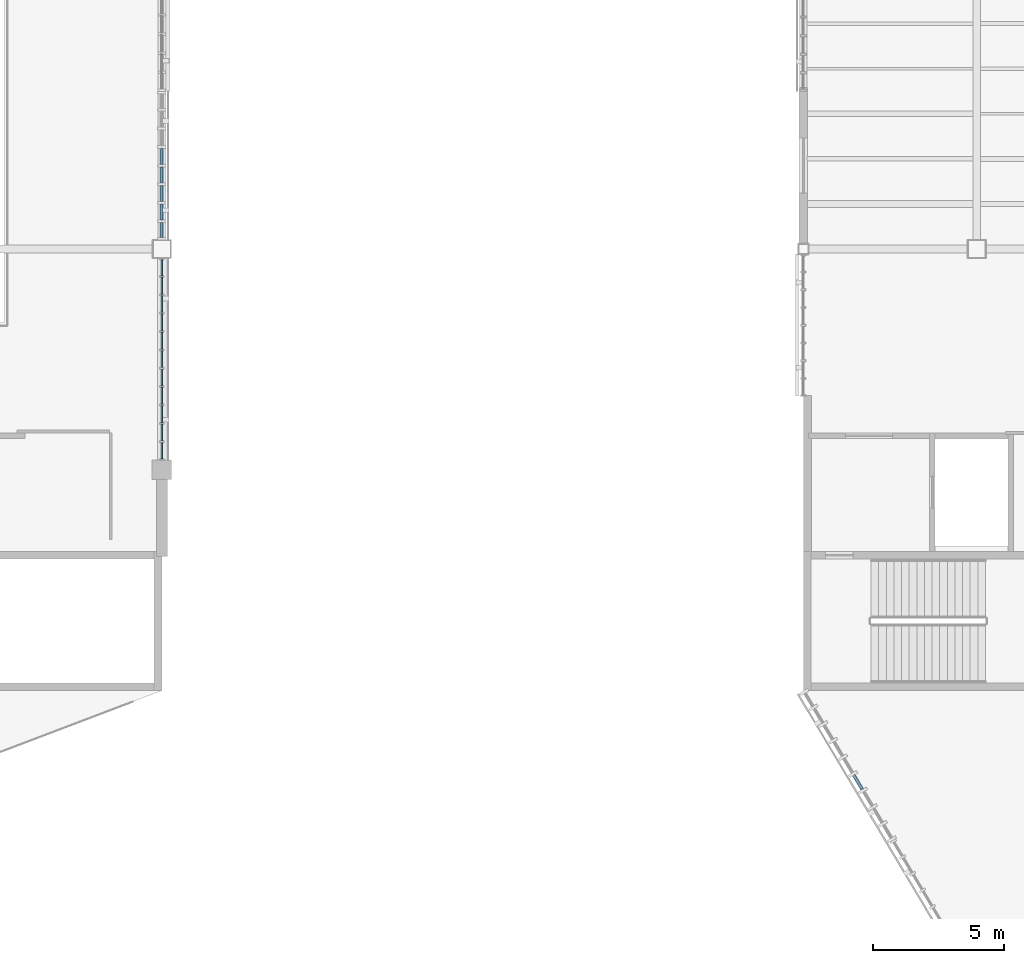
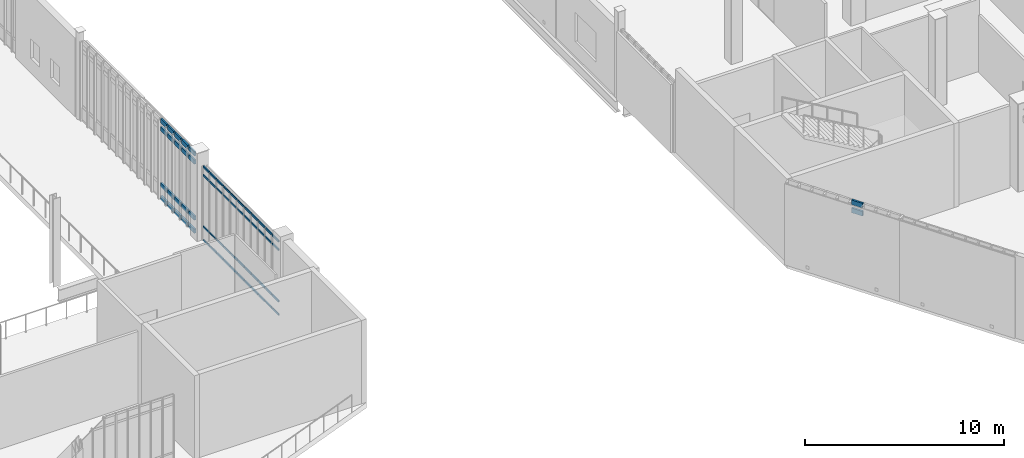
# One storey, part 50 of 135: 66 members, 3 elements without a shape of their own.
"""IFC4 building model written with IfcOpenShell, lengths in metres."""

import ifcopenshell
import ifcopenshell.guid

model = None  # the IFC model being written
_history = None  # IfcOwnerHistory: only IFC2X3 demands one
_inside = {}  # id of a spatial element -> (the spatial element, [elements in it])
_under = {}  # id of a project, library or spatial element -> (it, [spatial elements below it])
_declared = {}  # id of a project -> (the project, [libraries it declares])
_typed = {}  # id of a type object -> (the type object, [elements of that type])
_made_of = {}  # id of a material, layer set ... -> (it, [elements and type objects made of it])


def new_model(schema):
    """Start an empty IFC model of exactly this schema.

    Asked for "IFC4X3", IfcOpenShell would pick the latest addendum, in which some entities
    have other attributes; the version numbers below select the first issue.
    IFC2X3 requires an IfcOwnerHistory on every rooted entity: one is made here for all.
    """
    global model, _history
    if schema == "IFC4X3":
        model = ifcopenshell.file(schema_version=(4, 3, 0, 0))
    else:
        model = ifcopenshell.file(schema=schema)
    _inside.clear()
    _under.clear()
    _declared.clear()
    _typed.clear()
    _made_of.clear()
    _history = None
    if model.schema == "IFC2X3":
        org = make("IfcOrganization", Name="unknown")
        user = make(
            "IfcPersonAndOrganization",
            ThePerson=make("IfcPerson", FamilyName="unknown"),
            TheOrganization=org,
        )
        app = make(
            "IfcApplication",
            ApplicationDeveloper=org,
            Version="unknown",
            ApplicationFullName="unknown",
            ApplicationIdentifier="unknown",
        )
        _history = make(
            "IfcOwnerHistory",
            OwningUser=user,
            OwningApplication=app,
            ChangeAction="ADDED",
            CreationDate=0,
        )
    return model


def make(cls, **values):
    """One entity of the class cls with the attributes given. An attribute that is None is left unset."""
    return model.create_entity(
        cls, **{name: value for name, value in values.items() if value is not None}
    )


def rooted(cls, **values):
    """An entity with a GlobalId (a new one), such as an element, a storey or a relation."""
    return make(cls, GlobalId=ifcopenshell.guid.new(), OwnerHistory=_history, **values)


def si_unit(unit_type, name, prefix=None):
    """IfcSIUnit, for example si_unit("LENGTHUNIT", "METRE", prefix="MILLI")."""
    return make("IfcSIUnit", UnitType=unit_type, Prefix=prefix, Name=name)


def assignment(units):
    """IfcUnitAssignment: the units of a project."""
    return None if units is None else make("IfcUnitAssignment", Units=units)


def point(xyz):
    """IfcCartesianPoint."""
    return None if xyz is None else make("IfcCartesianPoint", Coordinates=xyz)


def direction(xyz):
    """IfcDirection."""
    return None if xyz is None else make("IfcDirection", DirectionRatios=xyz)


def frame(location, z_axis=None, x_axis=None):
    """IfcAxis2Placement3D, a coordinate frame: its origin and axes. An axis left out is left unset."""
    return make(
        "IfcAxis2Placement3D",
        Location=point(location),
        Axis=direction(z_axis),
        RefDirection=direction(x_axis),
    )


def frame_2d(location, x_axis=None):
    """IfcAxis2Placement2D, a coordinate frame in the plane: its origin and x axis."""
    return make(
        "IfcAxis2Placement2D", Location=point(location), RefDirection=direction(x_axis)
    )


def origin():
    """The frame at (0, 0, 0) with its axes left unset."""
    return frame((0.0, 0.0, 0.0))


def origin_2d():
    """The frame at (0, 0) in the plane with its x axis left unset."""
    return frame_2d((0.0, 0.0))


def place(relative_to, where):
    """IfcLocalPlacement: puts the frame where relative to a parent placement (None: the world)."""
    return make(
        "IfcLocalPlacement", PlacementRelTo=relative_to, RelativePlacement=where
    )


def context(
    kind, dimensions, precision=None, world=None, true_north=None, identifier=None
):
    """IfcGeometricRepresentationContext, for example the 3D "Model" context."""
    return make(
        "IfcGeometricRepresentationContext",
        ContextIdentifier=identifier,
        ContextType=kind,
        CoordinateSpaceDimension=dimensions,
        Precision=precision,
        WorldCoordinateSystem=world,
        TrueNorth=true_north,
    )


def subcontext(parent, identifier, kind, view, scale=None):
    """IfcGeometricRepresentationSubContext, for example "Body" below "Model"."""
    return make(
        "IfcGeometricRepresentationSubContext",
        ContextIdentifier=identifier,
        ContextType=kind,
        ParentContext=parent,
        TargetScale=scale,
        TargetView=view,
    )


def project(units=None, contexts=None):
    """IfcProject with its units and contexts."""
    return rooted(
        "IfcProject",
        Name="project",
        RepresentationContexts=contexts,
        UnitsInContext=assignment(units),
    )


def spatial(cls, under=None, at=None, **own):
    """A site, building, storey or space (cls), placed at a placement, below another one or the project."""
    s = rooted(cls, ObjectPlacement=at, **own)
    if under is not None:
        _under.setdefault(under.id(), (under, []))[1].append(s)
    return s


def profile(cls, at=None, kind="AREA", **sizes):
    """A parametric profile (cls). Its sizes go by their IFC names, for example OverallWidth=200.0."""
    return make(cls, ProfileType=kind, Position=at, **sizes)


def rectangle(**sizes):
    """IfcRectangleProfileDef."""
    return profile("IfcRectangleProfileDef", **sizes)


def extrude(swept, where, along, depth):
    """IfcExtrudedAreaSolid: the profile swept, set in the frame where, extruded along a direction by depth."""
    return make(
        "IfcExtrudedAreaSolid",
        SweptArea=swept,
        Position=where,
        ExtrudedDirection=direction(along),
        Depth=depth,
    )


def shape(context_of_items, identifier, shape_type, items):
    """IfcShapeRepresentation: the items that make up one representation, for example the "Body"."""
    return make(
        "IfcShapeRepresentation",
        ContextOfItems=context_of_items,
        RepresentationIdentifier=identifier,
        RepresentationType=shape_type,
        Items=items,
    )


def material(Name=None, Category=None):
    """IfcMaterial."""
    return make("IfcMaterial", Name=Name, Category=Category)


def material_profile(
    of_material, cross_section, Name=None, Category=None, Priority=None
):
    """IfcMaterialProfile: a cross section and its material."""
    return make(
        "IfcMaterialProfile",
        Name=Name,
        Material=of_material,
        Profile=cross_section,
        Priority=Priority,
        Category=Category,
    )


def profile_set(profiles, Name=None, composite=None):
    """IfcMaterialProfileSet."""
    return make(
        "IfcMaterialProfileSet",
        Name=Name,
        MaterialProfiles=profiles,
        CompositeProfile=composite,
    )


def made_of(thing, what):
    """Note that an element or type object is made of a material, layer set ...; save() writes the relation."""
    if what is not None:
        _made_of.setdefault(what.id(), (what, []))[1].append(thing)
    return thing


def type_object(cls, material=None, **own):
    """A type object (cls), such as IfcWallType, which elements share."""
    return made_of(rooted(cls, **own), material)


def element(
    cls,
    number,
    at=None,
    inside=None,
    cuts=None,
    type_object=None,
    material=None,
    context=None,
    identifier="Body",
    shape_type=None,
    held_by="IfcProductDefinitionShape",
    body=None,
    shapes=None,
    **own,
):
    """One element of the class cls, such as IfcWall. Its Tag is "e" and its number.

    at: its placement. inside: the storey or other place that contains it. cuts: it is an
    opening in that element (IfcRelVoidsElement). A single representation is given by context,
    identifier, shape_type and body (its items); several are given by shapes. held_by: the class
    of the entity that holds the representations. save() writes the other relations.
    """
    e = rooted(cls, Tag="e%d" % number, ObjectPlacement=at, **own)
    if body is not None:
        shapes = [shape(context, identifier, shape_type, body)]
    if shapes is not None:
        e.Representation = make(held_by, Representations=shapes)
    if inside is not None:
        _inside.setdefault(inside.id(), (inside, []))[1].append(e)
    if cuts is not None:
        rooted(
            "IfcRelVoidsElement", RelatingBuildingElement=cuts, RelatedOpeningElement=e
        )
    if type_object is not None:
        _typed.setdefault(type_object.id(), (type_object, []))[1].append(e)
    return made_of(e, material)


def aggregate(whole, parts):
    """IfcRelAggregates: a whole, such as a stair, and the parts it consists of."""
    return rooted("IfcRelAggregates", RelatingObject=whole, RelatedObjects=parts)


def save(model, path):
    """Write the relations noted so far, then the file.

    IfcRelAggregates (storeys below a building ...), IfcRelContainedInSpatialStructure (elements
    in a storey), IfcRelDefinesByType, IfcRelAssociatesMaterial and IfcRelDeclares: one each for
    every whole, place, type object, material and project.
    """
    for whole, parts in _under.values():
        aggregate(whole, parts)
    for where, things in _inside.values():
        rooted(
            "IfcRelContainedInSpatialStructure",
            RelatedElements=things,
            RelatingStructure=where,
        )
    for kind, things in _typed.values():
        rooted("IfcRelDefinesByType", RelatedObjects=things, RelatingType=kind)
    for what, things in _made_of.values():
        rooted("IfcRelAssociatesMaterial", RelatedObjects=things, RelatingMaterial=what)
    for by, libraries in _declared.values():
        rooted("IfcRelDeclares", RelatingContext=by, RelatedDefinitions=libraries)
    model.write(path)


model = new_model("IFC4")

# Units and contexts
model_context = context("Model", 3, precision=1e-05, world=origin(), true_north=direction((0.0, 1.0)))
body_context = subcontext(model_context, "Body", "Model", "MODEL_VIEW")
ifc_project = project(units=[si_unit("LENGTHUNIT", "METRE"), si_unit("AREAUNIT", "SQUARE_METRE"), si_unit("VOLUMEUNIT", "CUBIC_METRE"), si_unit("PLANEANGLEUNIT", "RADIAN"), si_unit("MASSUNIT", "GRAM", prefix="KILO")], contexts=[model_context])

# Site, building, storey
site_placement = place(None, origin())
site = spatial("IfcSite", under=ifc_project, at=site_placement, CompositionType="ELEMENT")
building_placement = place(site_placement, origin())
building = spatial("IfcBuilding", under=site, at=building_placement, Name="Larkvane Passage Sports Hall", CompositionType="ELEMENT")
storey_placement = place(building_placement, frame((0.0, 0.0, 16.800048828125)))
storey = spatial("IfcBuildingStorey", under=building, at=storey_placement, Name="L03", CompositionType="ELEMENT", Elevation=16.800048828125)

# Curtain wall, members
ifc_material_1 = material(Name="Thermally broken aluminium and low-E glazing", Category="aluminium")
curtain_wall_type_1 = type_object("IfcCurtainWallType", Name="CW-CLINIC", PredefinedType="USERDEFINED", material=ifc_material_1)
curtain_wall_1_placement = place(storey_placement, origin())
curtain_wall_1 = element("IfcCurtainWall", 1, at=curtain_wall_1_placement, inside=storey, type_object=curtain_wall_type_1, Name="Curtain wall CW5-L03-147", ObjectType="UNITISED CURTAIN WALL", PredefinedType="USERDEFINED")
ifc_material_2 = material(Name="Anodised aluminium 6063-T6", Category="aluminium")
ifc_material_profile_1 = material_profile(ifc_material_2, rectangle(XDim=0.10009765625, YDim=0.260009765625, at=origin_2d()), Name="ALU-TRN-100x260")
ifc_profile_set_1 = profile_set([ifc_material_profile_1], Name="Anodised aluminium 6063-T6")
member_type_1 = type_object("IfcMemberType", Name="CW-TRN-100x260", PredefinedType="USERDEFINED", material=ifc_profile_set_1)
member_1_placement = place(storey_placement, frame((93.60009765625, 43.4296875, 0.050048828125), z_axis=(0.0, -1.0, 0.0), x_axis=(1.0, 0.0, 0.0)))
member_1 = element("IfcMember", 2, at=member_1_placement, type_object=member_type_1, Name="CW-05 transom 4.1", ObjectType="TRANSOM", PredefinedType="USERDEFINED", context=body_context, shape_type="SweptSolid", body=[
    extrude(rectangle(XDim=0.10009765625, YDim=0.260009765625, at=origin_2d()), origin(), (0.0, 0.0, 1.0), 0.606689453125),
])
member_2_placement = place(storey_placement, frame((93.60009765625, 43.4296875, 0.849853515625), z_axis=(0.0, -1.0, 0.0), x_axis=(1.0, 0.0, 0.0)))
member_2 = element("IfcMember", 3, at=member_2_placement, type_object=member_type_1, Name="CW-05 transom 4.2", ObjectType="TRANSOM", PredefinedType="USERDEFINED", context=body_context, shape_type="SweptSolid", body=[
    extrude(rectangle(XDim=0.10009765625, YDim=0.260009765625, at=origin_2d()), origin(), (0.0, 0.0, 1.0), 0.606689453125),
])
member_3_placement = place(storey_placement, frame((93.60009765625, 43.4296875, 4.29296875), z_axis=(0.0, -1.0, 0.0), x_axis=(1.0, 0.0, 0.0)))
member_3 = element("IfcMember", 4, at=member_3_placement, type_object=member_type_1, Name="CW-05 transom 4.3", ObjectType="TRANSOM", PredefinedType="USERDEFINED", context=body_context, shape_type="SweptSolid", body=[
    extrude(rectangle(XDim=0.10009765625, YDim=0.260009765625, at=origin_2d()), origin(), (0.0, 0.0, 1.0), 0.606689453125),
])
member_4_placement = place(storey_placement, frame((93.60009765625, 43.4296875, 4.79296875), z_axis=(0.0, -1.0, 0.0), x_axis=(1.0, 0.0, 0.0)))
member_4 = element("IfcMember", 5, at=member_4_placement, type_object=member_type_1, Name="CW-05 transom 4.4", ObjectType="TRANSOM", PredefinedType="USERDEFINED", context=body_context, shape_type="SweptSolid", body=[
    extrude(rectangle(XDim=0.10009765625, YDim=0.260009765625, at=origin_2d()), origin(), (0.0, 0.0, 1.0), 0.606689453125),
])
member_5_placement = place(storey_placement, frame((93.60009765625, 42.722900390625, 0.050048828125), z_axis=(0.0, -1.0, 0.0), x_axis=(1.0, 0.0, 0.0)))
member_5 = element("IfcMember", 6, at=member_5_placement, type_object=member_type_1, Name="CW-05 transom 5.1", ObjectType="TRANSOM", PredefinedType="USERDEFINED", context=body_context, shape_type="SweptSolid", body=[
    extrude(rectangle(XDim=0.10009765625, YDim=0.260009765625, at=origin_2d()), origin(), (0.0, 0.0, 1.0), 0.606689453125),
])
member_6_placement = place(storey_placement, frame((93.60009765625, 42.722900390625, 0.849853515625), z_axis=(0.0, -1.0, 0.0), x_axis=(1.0, 0.0, 0.0)))
member_6 = element("IfcMember", 7, at=member_6_placement, type_object=member_type_1, Name="CW-05 transom 5.2", ObjectType="TRANSOM", PredefinedType="USERDEFINED", context=body_context, shape_type="SweptSolid", body=[
    extrude(rectangle(XDim=0.10009765625, YDim=0.260009765625, at=origin_2d()), origin(), (0.0, 0.0, 1.0), 0.606689453125),
])
member_7_placement = place(storey_placement, frame((93.60009765625, 42.722900390625, 4.29296875), z_axis=(0.0, -1.0, 0.0), x_axis=(1.0, 0.0, 0.0)))
member_7 = element("IfcMember", 8, at=member_7_placement, type_object=member_type_1, Name="CW-05 transom 5.3", ObjectType="TRANSOM", PredefinedType="USERDEFINED", context=body_context, shape_type="SweptSolid", body=[
    extrude(rectangle(XDim=0.10009765625, YDim=0.260009765625, at=origin_2d()), origin(), (0.0, 0.0, 1.0), 0.606689453125),
])
member_8_placement = place(storey_placement, frame((93.60009765625, 42.722900390625, 4.79296875), z_axis=(0.0, -1.0, 0.0), x_axis=(1.0, 0.0, 0.0)))
member_8 = element("IfcMember", 9, at=member_8_placement, type_object=member_type_1, Name="CW-05 transom 5.4", ObjectType="TRANSOM", PredefinedType="USERDEFINED", context=body_context, shape_type="SweptSolid", body=[
    extrude(rectangle(XDim=0.10009765625, YDim=0.260009765625, at=origin_2d()), origin(), (0.0, 0.0, 1.0), 0.606689453125),
])
member_9_placement = place(storey_placement, frame((93.60009765625, 42.016357421875, 0.050048828125), z_axis=(0.0, -1.0, 0.0), x_axis=(1.0, 0.0, 0.0)))
member_9 = element("IfcMember", 10, at=member_9_placement, type_object=member_type_1, Name="CW-05 transom 6.1", ObjectType="TRANSOM", PredefinedType="USERDEFINED", context=body_context, shape_type="SweptSolid", body=[
    extrude(rectangle(XDim=0.10009765625, YDim=0.260009765625, at=origin_2d()), origin(), (0.0, 0.0, 1.0), 0.60693359375),
])
member_10_placement = place(storey_placement, frame((93.60009765625, 42.016357421875, 0.849853515625), z_axis=(0.0, -1.0, 0.0), x_axis=(1.0, 0.0, 0.0)))
member_10 = element("IfcMember", 11, at=member_10_placement, type_object=member_type_1, Name="CW-05 transom 6.2", ObjectType="TRANSOM", PredefinedType="USERDEFINED", context=body_context, shape_type="SweptSolid", body=[
    extrude(rectangle(XDim=0.10009765625, YDim=0.260009765625, at=origin_2d()), origin(), (0.0, 0.0, 1.0), 0.60693359375),
])
member_11_placement = place(storey_placement, frame((93.60009765625, 42.016357421875, 4.29296875), z_axis=(0.0, -1.0, 0.0), x_axis=(1.0, 0.0, 0.0)))
member_11 = element("IfcMember", 12, at=member_11_placement, type_object=member_type_1, Name="CW-05 transom 6.3", ObjectType="TRANSOM", PredefinedType="USERDEFINED", context=body_context, shape_type="SweptSolid", body=[
    extrude(rectangle(XDim=0.10009765625, YDim=0.260009765625, at=origin_2d()), origin(), (0.0, 0.0, 1.0), 0.60693359375),
])
member_12_placement = place(storey_placement, frame((93.60009765625, 42.016357421875, 4.79296875), z_axis=(0.0, -1.0, 0.0), x_axis=(1.0, 0.0, 0.0)))
member_12 = element("IfcMember", 13, at=member_12_placement, type_object=member_type_1, Name="CW-05 transom 6.4", ObjectType="TRANSOM", PredefinedType="USERDEFINED", context=body_context, shape_type="SweptSolid", body=[
    extrude(rectangle(XDim=0.10009765625, YDim=0.260009765625, at=origin_2d()), origin(), (0.0, 0.0, 1.0), 0.60693359375),
])
member_13_placement = place(storey_placement, frame((93.60009765625, 41.3095703125, 0.050048828125), z_axis=(0.0, -1.0, 0.0), x_axis=(1.0, 0.0, 0.0)))
member_13 = element("IfcMember", 14, at=member_13_placement, type_object=member_type_1, Name="CW-05 transom 7.1", ObjectType="TRANSOM", PredefinedType="USERDEFINED", context=body_context, shape_type="SweptSolid", body=[
    extrude(rectangle(XDim=0.10009765625, YDim=0.260009765625, at=origin_2d()), origin(), (0.0, 0.0, 1.0), 0.60693359375),
])
member_14_placement = place(storey_placement, frame((93.60009765625, 41.3095703125, 0.849853515625), z_axis=(0.0, -1.0, 0.0), x_axis=(1.0, 0.0, 0.0)))
member_14 = element("IfcMember", 15, at=member_14_placement, type_object=member_type_1, Name="CW-05 transom 7.2", ObjectType="TRANSOM", PredefinedType="USERDEFINED", context=body_context, shape_type="SweptSolid", body=[
    extrude(rectangle(XDim=0.10009765625, YDim=0.260009765625, at=origin_2d()), origin(), (0.0, 0.0, 1.0), 0.60693359375),
])
member_15_placement = place(storey_placement, frame((93.60009765625, 41.3095703125, 4.29296875), z_axis=(0.0, -1.0, 0.0), x_axis=(1.0, 0.0, 0.0)))
member_15 = element("IfcMember", 16, at=member_15_placement, type_object=member_type_1, Name="CW-05 transom 7.3", ObjectType="TRANSOM", PredefinedType="USERDEFINED", context=body_context, shape_type="SweptSolid", body=[
    extrude(rectangle(XDim=0.10009765625, YDim=0.260009765625, at=origin_2d()), origin(), (0.0, 0.0, 1.0), 0.60693359375),
])
member_16_placement = place(storey_placement, frame((93.60009765625, 41.3095703125, 4.79296875), z_axis=(0.0, -1.0, 0.0), x_axis=(1.0, 0.0, 0.0)))
member_16 = element("IfcMember", 17, at=member_16_placement, type_object=member_type_1, Name="CW-05 transom 7.4", ObjectType="TRANSOM", PredefinedType="USERDEFINED", context=body_context, shape_type="SweptSolid", body=[
    extrude(rectangle(XDim=0.10009765625, YDim=0.260009765625, at=origin_2d()), origin(), (0.0, 0.0, 1.0), 0.60693359375),
])
member_17_placement = place(storey_placement, frame((93.60009765625, 40.602783203125, 0.050048828125), z_axis=(0.0, -1.0, 0.0), x_axis=(1.0, 0.0, 0.0)))
member_17 = element("IfcMember", 18, at=member_17_placement, type_object=member_type_1, Name="CW-05 transom 8.1", ObjectType="TRANSOM", PredefinedType="USERDEFINED", context=body_context, shape_type="SweptSolid", body=[
    extrude(rectangle(XDim=0.10009765625, YDim=0.260009765625, at=origin_2d()), origin(), (0.0, 0.0, 1.0), 0.556884765625),
])
member_18_placement = place(storey_placement, frame((93.60009765625, 40.602783203125, 0.849853515625), z_axis=(0.0, -1.0, 0.0), x_axis=(1.0, 0.0, 0.0)))
member_18 = element("IfcMember", 19, at=member_18_placement, type_object=member_type_1, Name="CW-05 transom 8.2", ObjectType="TRANSOM", PredefinedType="USERDEFINED", context=body_context, shape_type="SweptSolid", body=[
    extrude(rectangle(XDim=0.10009765625, YDim=0.260009765625, at=origin_2d()), origin(), (0.0, 0.0, 1.0), 0.556884765625),
])
member_19_placement = place(storey_placement, frame((93.60009765625, 40.602783203125, 4.29296875), z_axis=(0.0, -1.0, 0.0), x_axis=(1.0, 0.0, 0.0)))
member_19 = element("IfcMember", 20, at=member_19_placement, type_object=member_type_1, Name="CW-05 transom 8.3", ObjectType="TRANSOM", PredefinedType="USERDEFINED", context=body_context, shape_type="SweptSolid", body=[
    extrude(rectangle(XDim=0.10009765625, YDim=0.260009765625, at=origin_2d()), origin(), (0.0, 0.0, 1.0), 0.556884765625),
])
member_20_placement = place(storey_placement, frame((93.60009765625, 40.602783203125, 4.79296875), z_axis=(0.0, -1.0, 0.0), x_axis=(1.0, 0.0, 0.0)))
member_20 = element("IfcMember", 21, at=member_20_placement, type_object=member_type_1, Name="CW-05 transom 8.4", ObjectType="TRANSOM", PredefinedType="USERDEFINED", context=body_context, shape_type="SweptSolid", body=[
    extrude(rectangle(XDim=0.10009765625, YDim=0.260009765625, at=origin_2d()), origin(), (0.0, 0.0, 1.0), 0.556884765625),
])
aggregate(curtain_wall_1, [member_1, member_2, member_3, member_4, member_5, member_6, member_7, member_8, member_9, member_10, member_11, member_12, member_13, member_14, member_15, member_16, member_17, member_18, member_19, member_20])

curtain_wall_2_placement = place(storey_placement, origin())
curtain_wall_2 = element("IfcCurtainWall", 22, at=curtain_wall_2_placement, inside=storey, type_object=curtain_wall_type_1, Name="Curtain wall CW5-L03-119", ObjectType="UNITISED CURTAIN WALL", PredefinedType="USERDEFINED")
ifc_material_profile_2 = material_profile(ifc_material_2, rectangle(XDim=0.110107421875, YDim=0.2900390625, at=origin_2d()), Name="ALU-TRN-110x290")
ifc_profile_set_2 = profile_set([ifc_material_profile_2], Name="Anodised aluminium 6063-T6")
member_type_2 = type_object("IfcMemberType", Name="CW-TRN-110x290", PredefinedType="USERDEFINED", material=ifc_profile_set_2)
member_21_placement = place(storey_placement, frame((120.240478515625, 19.0439453125, 4.550048828125), z_axis=(-0.512429680433, 0.858729190497, 0.0), x_axis=(-0.858729190497, -0.512429680433, 0.0)))
member_21 = element("IfcMember", 23, at=member_21_placement, type_object=member_type_2, Name="CW-05 transom 4.3", ObjectType="TRANSOM", PredefinedType="USERDEFINED", context=body_context, shape_type="SweptSolid", body=[
    extrude(rectangle(XDim=0.110107421875, YDim=0.2900390625, at=origin_2d()), origin(), (0.0, 0.0, 1.0), 0.6259765625),
])
member_22_placement = place(storey_placement, frame((120.240478515625, 19.0439453125, 5.044921875), z_axis=(-0.512429680433, 0.858729190497, 0.0), x_axis=(-0.858729190497, -0.512429680433, 0.0)))
member_22 = element("IfcMember", 24, at=member_22_placement, type_object=member_type_2, Name="CW-05 transom 4.4", ObjectType="TRANSOM", PredefinedType="USERDEFINED", context=body_context, shape_type="SweptSolid", body=[
    extrude(rectangle(XDim=0.110107421875, YDim=0.2900390625, at=origin_2d()), origin(), (0.0, 0.0, 1.0), 0.6259765625),
])
aggregate(curtain_wall_2, [member_21, member_22])

curtain_wall_type_2 = type_object("IfcCurtainWallType", Name="CW-UNIT-COURT", PredefinedType="USERDEFINED", material=ifc_material_1)
curtain_wall_3_placement = place(storey_placement, origin())
curtain_wall_3 = element("IfcCurtainWall", 25, at=curtain_wall_3_placement, inside=storey, type_object=curtain_wall_type_2, Name="Curtain wall CW5-L03-148", ObjectType="UNITISED CURTAIN WALL", PredefinedType="USERDEFINED")
ifc_material_profile_3 = material_profile(ifc_material_2, rectangle(XDim=0.06005859375, YDim=0.1201171875, at=origin_2d()), Name="ALU-TRN-60x120")
ifc_profile_set_3 = profile_set([ifc_material_profile_3], Name="Anodised aluminium 6063-T6")
member_type_3 = type_object("IfcMemberType", Name="CW-TRN-60x120", PredefinedType="USERDEFINED", material=ifc_profile_set_3)
member_23_placement = place(storey_placement, frame((93.60009765625, 39.194091796875, 0.030029296875), z_axis=(0.0, -1.0, 0.0), x_axis=(1.0, 0.0, 0.0)))
member_23 = element("IfcMember", 26, at=member_23_placement, type_object=member_type_3, Name="CW-01 transom 1.1", ObjectType="TRANSOM", PredefinedType="USERDEFINED", context=body_context, shape_type="SweptSolid", body=[
    extrude(rectangle(XDim=0.06005859375, YDim=0.1201171875, at=origin_2d()), origin(), (0.0, 0.0, 1.0), 0.608642578125),
])
member_24_placement = place(storey_placement, frame((93.60009765625, 39.194091796875, 0.849853515625), z_axis=(0.0, -1.0, 0.0), x_axis=(1.0, 0.0, 0.0)))
member_24 = element("IfcMember", 27, at=member_24_placement, type_object=member_type_3, Name="CW-01 transom 1.2", ObjectType="TRANSOM", PredefinedType="USERDEFINED", context=body_context, shape_type="SweptSolid", body=[
    extrude(rectangle(XDim=0.06005859375, YDim=0.1201171875, at=origin_2d()), origin(), (0.0, 0.0, 1.0), 0.608642578125),
])
member_25_placement = place(storey_placement, frame((93.60009765625, 39.194091796875, 4.008056640625), z_axis=(0.0, -1.0, 0.0), x_axis=(1.0, 0.0, 0.0)))
member_25 = element("IfcMember", 28, at=member_25_placement, type_object=member_type_3, Name="CW-01 transom 1.3", ObjectType="TRANSOM", PredefinedType="USERDEFINED", context=body_context, shape_type="SweptSolid", body=[
    extrude(rectangle(XDim=0.06005859375, YDim=0.1201171875, at=origin_2d()), origin(), (0.0, 0.0, 1.0), 0.608642578125),
])
member_26_placement = place(storey_placement, frame((93.60009765625, 39.194091796875, 4.52783203125), z_axis=(0.0, -1.0, 0.0), x_axis=(1.0, 0.0, 0.0)))
member_26 = element("IfcMember", 29, at=member_26_placement, type_object=member_type_3, Name="CW-01 transom 1.4", ObjectType="TRANSOM", PredefinedType="USERDEFINED", context=body_context, shape_type="SweptSolid", body=[
    extrude(rectangle(XDim=0.06005859375, YDim=0.1201171875, at=origin_2d()), origin(), (0.0, 0.0, 1.0), 0.608642578125),
])
member_27_placement = place(storey_placement, frame((93.60009765625, 38.525634765625, 0.030029296875), z_axis=(0.0, -1.0, 0.0), x_axis=(1.0, 0.0, 0.0)))
member_27 = element("IfcMember", 30, at=member_27_placement, type_object=member_type_3, Name="CW-01 transom 2.1", ObjectType="TRANSOM", PredefinedType="USERDEFINED", context=body_context, shape_type="SweptSolid", body=[
    extrude(rectangle(XDim=0.06005859375, YDim=0.1201171875, at=origin_2d()), origin(), (0.0, 0.0, 1.0), 0.638427734375),
])
member_28_placement = place(storey_placement, frame((93.60009765625, 38.525634765625, 0.849853515625), z_axis=(0.0, -1.0, 0.0), x_axis=(1.0, 0.0, 0.0)))
member_28 = element("IfcMember", 31, at=member_28_placement, type_object=member_type_3, Name="CW-01 transom 2.2", ObjectType="TRANSOM", PredefinedType="USERDEFINED", context=body_context, shape_type="SweptSolid", body=[
    extrude(rectangle(XDim=0.06005859375, YDim=0.1201171875, at=origin_2d()), origin(), (0.0, 0.0, 1.0), 0.638427734375),
])
member_29_placement = place(storey_placement, frame((93.60009765625, 38.525634765625, 4.008056640625), z_axis=(0.0, -1.0, 0.0), x_axis=(1.0, 0.0, 0.0)))
member_29 = element("IfcMember", 32, at=member_29_placement, type_object=member_type_3, Name="CW-01 transom 2.3", ObjectType="TRANSOM", PredefinedType="USERDEFINED", context=body_context, shape_type="SweptSolid", body=[
    extrude(rectangle(XDim=0.06005859375, YDim=0.1201171875, at=origin_2d()), origin(), (0.0, 0.0, 1.0), 0.638427734375),
])
member_30_placement = place(storey_placement, frame((93.60009765625, 38.525634765625, 4.52783203125), z_axis=(0.0, -1.0, 0.0), x_axis=(1.0, 0.0, 0.0)))
member_30 = element("IfcMember", 33, at=member_30_placement, type_object=member_type_3, Name="CW-01 transom 2.4", ObjectType="TRANSOM", PredefinedType="USERDEFINED", context=body_context, shape_type="SweptSolid", body=[
    extrude(rectangle(XDim=0.06005859375, YDim=0.1201171875, at=origin_2d()), origin(), (0.0, 0.0, 1.0), 0.638427734375),
])
member_31_placement = place(storey_placement, frame((93.60009765625, 37.8271484375, 0.030029296875), z_axis=(0.0, -1.0, 0.0), x_axis=(1.0, 0.0, 0.0)))
member_31 = element("IfcMember", 34, at=member_31_placement, type_object=member_type_3, Name="CW-01 transom 3.1", ObjectType="TRANSOM", PredefinedType="USERDEFINED", context=body_context, shape_type="SweptSolid", body=[
    extrude(rectangle(XDim=0.06005859375, YDim=0.1201171875, at=origin_2d()), origin(), (0.0, 0.0, 1.0), 0.638427734375),
])
member_32_placement = place(storey_placement, frame((93.60009765625, 37.8271484375, 0.849853515625), z_axis=(0.0, -1.0, 0.0), x_axis=(1.0, 0.0, 0.0)))
member_32 = element("IfcMember", 35, at=member_32_placement, type_object=member_type_3, Name="CW-01 transom 3.2", ObjectType="TRANSOM", PredefinedType="USERDEFINED", context=body_context, shape_type="SweptSolid", body=[
    extrude(rectangle(XDim=0.06005859375, YDim=0.1201171875, at=origin_2d()), origin(), (0.0, 0.0, 1.0), 0.638427734375),
])
member_33_placement = place(storey_placement, frame((93.60009765625, 37.8271484375, 4.008056640625), z_axis=(0.0, -1.0, 0.0), x_axis=(1.0, 0.0, 0.0)))
member_33 = element("IfcMember", 36, at=member_33_placement, type_object=member_type_3, Name="CW-01 transom 3.3", ObjectType="TRANSOM", PredefinedType="USERDEFINED", context=body_context, shape_type="SweptSolid", body=[
    extrude(rectangle(XDim=0.06005859375, YDim=0.1201171875, at=origin_2d()), origin(), (0.0, 0.0, 1.0), 0.638427734375),
])
member_34_placement = place(storey_placement, frame((93.60009765625, 37.8271484375, 4.52783203125), z_axis=(0.0, -1.0, 0.0), x_axis=(1.0, 0.0, 0.0)))
member_34 = element("IfcMember", 37, at=member_34_placement, type_object=member_type_3, Name="CW-01 transom 3.4", ObjectType="TRANSOM", PredefinedType="USERDEFINED", context=body_context, shape_type="SweptSolid", body=[
    extrude(rectangle(XDim=0.06005859375, YDim=0.1201171875, at=origin_2d()), origin(), (0.0, 0.0, 1.0), 0.638427734375),
])
member_35_placement = place(storey_placement, frame((93.60009765625, 37.128662109375, 0.030029296875), z_axis=(0.0, -1.0, 0.0), x_axis=(1.0, 0.0, 0.0)))
member_35 = element("IfcMember", 38, at=member_35_placement, type_object=member_type_3, Name="CW-01 transom 4.1", ObjectType="TRANSOM", PredefinedType="USERDEFINED", context=body_context, shape_type="SweptSolid", body=[
    extrude(rectangle(XDim=0.06005859375, YDim=0.1201171875, at=origin_2d()), origin(), (0.0, 0.0, 1.0), 0.638427734375),
])
member_36_placement = place(storey_placement, frame((93.60009765625, 37.128662109375, 0.849853515625), z_axis=(0.0, -1.0, 0.0), x_axis=(1.0, 0.0, 0.0)))
member_36 = element("IfcMember", 39, at=member_36_placement, type_object=member_type_3, Name="CW-01 transom 4.2", ObjectType="TRANSOM", PredefinedType="USERDEFINED", context=body_context, shape_type="SweptSolid", body=[
    extrude(rectangle(XDim=0.06005859375, YDim=0.1201171875, at=origin_2d()), origin(), (0.0, 0.0, 1.0), 0.638427734375),
])
member_37_placement = place(storey_placement, frame((93.60009765625, 37.128662109375, 4.008056640625), z_axis=(0.0, -1.0, 0.0), x_axis=(1.0, 0.0, 0.0)))
member_37 = element("IfcMember", 40, at=member_37_placement, type_object=member_type_3, Name="CW-01 transom 4.3", ObjectType="TRANSOM", PredefinedType="USERDEFINED", context=body_context, shape_type="SweptSolid", body=[
    extrude(rectangle(XDim=0.06005859375, YDim=0.1201171875, at=origin_2d()), origin(), (0.0, 0.0, 1.0), 0.638427734375),
])
member_38_placement = place(storey_placement, frame((93.60009765625, 37.128662109375, 4.52783203125), z_axis=(0.0, -1.0, 0.0), x_axis=(1.0, 0.0, 0.0)))
member_38 = element("IfcMember", 41, at=member_38_placement, type_object=member_type_3, Name="CW-01 transom 4.4", ObjectType="TRANSOM", PredefinedType="USERDEFINED", context=body_context, shape_type="SweptSolid", body=[
    extrude(rectangle(XDim=0.06005859375, YDim=0.1201171875, at=origin_2d()), origin(), (0.0, 0.0, 1.0), 0.638427734375),
])
member_39_placement = place(storey_placement, frame((93.60009765625, 36.43017578125, 0.030029296875), z_axis=(0.0, -1.0, 0.0), x_axis=(1.0, 0.0, 0.0)))
member_39 = element("IfcMember", 42, at=member_39_placement, type_object=member_type_3, Name="CW-01 transom 5.1", ObjectType="TRANSOM", PredefinedType="USERDEFINED", context=body_context, shape_type="SweptSolid", body=[
    extrude(rectangle(XDim=0.06005859375, YDim=0.1201171875, at=origin_2d()), origin(), (0.0, 0.0, 1.0), 0.638427734375),
])
member_40_placement = place(storey_placement, frame((93.60009765625, 36.43017578125, 0.849853515625), z_axis=(0.0, -1.0, 0.0), x_axis=(1.0, 0.0, 0.0)))
member_40 = element("IfcMember", 43, at=member_40_placement, type_object=member_type_3, Name="CW-01 transom 5.2", ObjectType="TRANSOM", PredefinedType="USERDEFINED", context=body_context, shape_type="SweptSolid", body=[
    extrude(rectangle(XDim=0.06005859375, YDim=0.1201171875, at=origin_2d()), origin(), (0.0, 0.0, 1.0), 0.638427734375),
])
member_41_placement = place(storey_placement, frame((93.60009765625, 36.43017578125, 4.008056640625), z_axis=(0.0, -1.0, 0.0), x_axis=(1.0, 0.0, 0.0)))
member_41 = element("IfcMember", 44, at=member_41_placement, type_object=member_type_3, Name="CW-01 transom 5.3", ObjectType="TRANSOM", PredefinedType="USERDEFINED", context=body_context, shape_type="SweptSolid", body=[
    extrude(rectangle(XDim=0.06005859375, YDim=0.1201171875, at=origin_2d()), origin(), (0.0, 0.0, 1.0), 0.638427734375),
])
member_42_placement = place(storey_placement, frame((93.60009765625, 36.43017578125, 4.52783203125), z_axis=(0.0, -1.0, 0.0), x_axis=(1.0, 0.0, 0.0)))
member_42 = element("IfcMember", 45, at=member_42_placement, type_object=member_type_3, Name="CW-01 transom 5.4", ObjectType="TRANSOM", PredefinedType="USERDEFINED", context=body_context, shape_type="SweptSolid", body=[
    extrude(rectangle(XDim=0.06005859375, YDim=0.1201171875, at=origin_2d()), origin(), (0.0, 0.0, 1.0), 0.638427734375),
])
member_43_placement = place(storey_placement, frame((93.60009765625, 35.731689453125, 0.030029296875), z_axis=(0.0, -1.0, 0.0), x_axis=(1.0, 0.0, 0.0)))
member_43 = element("IfcMember", 46, at=member_43_placement, type_object=member_type_3, Name="CW-01 transom 6.1", ObjectType="TRANSOM", PredefinedType="USERDEFINED", context=body_context, shape_type="SweptSolid", body=[
    extrude(rectangle(XDim=0.06005859375, YDim=0.1201171875, at=origin_2d()), origin(), (0.0, 0.0, 1.0), 0.638427734375),
])
member_44_placement = place(storey_placement, frame((93.60009765625, 35.731689453125, 0.849853515625), z_axis=(0.0, -1.0, 0.0), x_axis=(1.0, 0.0, 0.0)))
member_44 = element("IfcMember", 47, at=member_44_placement, type_object=member_type_3, Name="CW-01 transom 6.2", ObjectType="TRANSOM", PredefinedType="USERDEFINED", context=body_context, shape_type="SweptSolid", body=[
    extrude(rectangle(XDim=0.06005859375, YDim=0.1201171875, at=origin_2d()), origin(), (0.0, 0.0, 1.0), 0.638427734375),
])
member_45_placement = place(storey_placement, frame((93.60009765625, 35.731689453125, 4.008056640625), z_axis=(0.0, -1.0, 0.0), x_axis=(1.0, 0.0, 0.0)))
member_45 = element("IfcMember", 48, at=member_45_placement, type_object=member_type_3, Name="CW-01 transom 6.3", ObjectType="TRANSOM", PredefinedType="USERDEFINED", context=body_context, shape_type="SweptSolid", body=[
    extrude(rectangle(XDim=0.06005859375, YDim=0.1201171875, at=origin_2d()), origin(), (0.0, 0.0, 1.0), 0.638427734375),
])
member_46_placement = place(storey_placement, frame((93.60009765625, 35.731689453125, 4.52783203125), z_axis=(0.0, -1.0, 0.0), x_axis=(1.0, 0.0, 0.0)))
member_46 = element("IfcMember", 49, at=member_46_placement, type_object=member_type_3, Name="CW-01 transom 6.4", ObjectType="TRANSOM", PredefinedType="USERDEFINED", context=body_context, shape_type="SweptSolid", body=[
    extrude(rectangle(XDim=0.06005859375, YDim=0.1201171875, at=origin_2d()), origin(), (0.0, 0.0, 1.0), 0.638427734375),
])
member_47_placement = place(storey_placement, frame((93.60009765625, 35.033203125, 0.030029296875), z_axis=(0.0, -1.0, 0.0), x_axis=(1.0, 0.0, 0.0)))
member_47 = element("IfcMember", 50, at=member_47_placement, type_object=member_type_3, Name="CW-01 transom 7.1", ObjectType="TRANSOM", PredefinedType="USERDEFINED", context=body_context, shape_type="SweptSolid", body=[
    extrude(rectangle(XDim=0.06005859375, YDim=0.1201171875, at=origin_2d()), origin(), (0.0, 0.0, 1.0), 0.638427734375),
])
member_48_placement = place(storey_placement, frame((93.60009765625, 35.033203125, 0.849853515625), z_axis=(0.0, -1.0, 0.0), x_axis=(1.0, 0.0, 0.0)))
member_48 = element("IfcMember", 51, at=member_48_placement, type_object=member_type_3, Name="CW-01 transom 7.2", ObjectType="TRANSOM", PredefinedType="USERDEFINED", context=body_context, shape_type="SweptSolid", body=[
    extrude(rectangle(XDim=0.06005859375, YDim=0.1201171875, at=origin_2d()), origin(), (0.0, 0.0, 1.0), 0.638427734375),
])
member_49_placement = place(storey_placement, frame((93.60009765625, 35.033203125, 4.008056640625), z_axis=(0.0, -1.0, 0.0), x_axis=(1.0, 0.0, 0.0)))
member_49 = element("IfcMember", 52, at=member_49_placement, type_object=member_type_3, Name="CW-01 transom 7.3", ObjectType="TRANSOM", PredefinedType="USERDEFINED", context=body_context, shape_type="SweptSolid", body=[
    extrude(rectangle(XDim=0.06005859375, YDim=0.1201171875, at=origin_2d()), origin(), (0.0, 0.0, 1.0), 0.638427734375),
])
member_50_placement = place(storey_placement, frame((93.60009765625, 35.033203125, 4.52783203125), z_axis=(0.0, -1.0, 0.0), x_axis=(1.0, 0.0, 0.0)))
member_50 = element("IfcMember", 53, at=member_50_placement, type_object=member_type_3, Name="CW-01 transom 7.4", ObjectType="TRANSOM", PredefinedType="USERDEFINED", context=body_context, shape_type="SweptSolid", body=[
    extrude(rectangle(XDim=0.06005859375, YDim=0.1201171875, at=origin_2d()), origin(), (0.0, 0.0, 1.0), 0.638427734375),
])
member_51_placement = place(storey_placement, frame((93.60009765625, 34.334716796875, 0.030029296875), z_axis=(0.0, -1.0, 0.0), x_axis=(1.0, 0.0, 0.0)))
member_51 = element("IfcMember", 54, at=member_51_placement, type_object=member_type_3, Name="CW-01 transom 8.1", ObjectType="TRANSOM", PredefinedType="USERDEFINED", context=body_context, shape_type="SweptSolid", body=[
    extrude(rectangle(XDim=0.06005859375, YDim=0.1201171875, at=origin_2d()), origin(), (0.0, 0.0, 1.0), 0.638427734375),
])
member_52_placement = place(storey_placement, frame((93.60009765625, 34.334716796875, 0.849853515625), z_axis=(0.0, -1.0, 0.0), x_axis=(1.0, 0.0, 0.0)))
member_52 = element("IfcMember", 55, at=member_52_placement, type_object=member_type_3, Name="CW-01 transom 8.2", ObjectType="TRANSOM", PredefinedType="USERDEFINED", context=body_context, shape_type="SweptSolid", body=[
    extrude(rectangle(XDim=0.06005859375, YDim=0.1201171875, at=origin_2d()), origin(), (0.0, 0.0, 1.0), 0.638427734375),
])
member_53_placement = place(storey_placement, frame((93.60009765625, 34.334716796875, 4.008056640625), z_axis=(0.0, -1.0, 0.0), x_axis=(1.0, 0.0, 0.0)))
member_53 = element("IfcMember", 56, at=member_53_placement, type_object=member_type_3, Name="CW-01 transom 8.3", ObjectType="TRANSOM", PredefinedType="USERDEFINED", context=body_context, shape_type="SweptSolid", body=[
    extrude(rectangle(XDim=0.06005859375, YDim=0.1201171875, at=origin_2d()), origin(), (0.0, 0.0, 1.0), 0.638427734375),
])
member_54_placement = place(storey_placement, frame((93.60009765625, 34.334716796875, 4.52783203125), z_axis=(0.0, -1.0, 0.0), x_axis=(1.0, 0.0, 0.0)))
member_54 = element("IfcMember", 57, at=member_54_placement, type_object=member_type_3, Name="CW-01 transom 8.4", ObjectType="TRANSOM", PredefinedType="USERDEFINED", context=body_context, shape_type="SweptSolid", body=[
    extrude(rectangle(XDim=0.06005859375, YDim=0.1201171875, at=origin_2d()), origin(), (0.0, 0.0, 1.0), 0.638427734375),
])
member_55_placement = place(storey_placement, frame((93.60009765625, 33.636474609375, 0.030029296875), z_axis=(0.0, -1.0, 0.0), x_axis=(1.0, 0.0, 0.0)))
member_55 = element("IfcMember", 58, at=member_55_placement, type_object=member_type_3, Name="CW-01 transom 9.1", ObjectType="TRANSOM", PredefinedType="USERDEFINED", context=body_context, shape_type="SweptSolid", body=[
    extrude(rectangle(XDim=0.06005859375, YDim=0.1201171875, at=origin_2d()), origin(), (0.0, 0.0, 1.0), 0.638671875),
])
member_56_placement = place(storey_placement, frame((93.60009765625, 33.636474609375, 0.849853515625), z_axis=(0.0, -1.0, 0.0), x_axis=(1.0, 0.0, 0.0)))
member_56 = element("IfcMember", 59, at=member_56_placement, type_object=member_type_3, Name="CW-01 transom 9.2", ObjectType="TRANSOM", PredefinedType="USERDEFINED", context=body_context, shape_type="SweptSolid", body=[
    extrude(rectangle(XDim=0.06005859375, YDim=0.1201171875, at=origin_2d()), origin(), (0.0, 0.0, 1.0), 0.638671875),
])
member_57_placement = place(storey_placement, frame((93.60009765625, 33.636474609375, 4.008056640625), z_axis=(0.0, -1.0, 0.0), x_axis=(1.0, 0.0, 0.0)))
member_57 = element("IfcMember", 60, at=member_57_placement, type_object=member_type_3, Name="CW-01 transom 9.3", ObjectType="TRANSOM", PredefinedType="USERDEFINED", context=body_context, shape_type="SweptSolid", body=[
    extrude(rectangle(XDim=0.06005859375, YDim=0.1201171875, at=origin_2d()), origin(), (0.0, 0.0, 1.0), 0.638671875),
])
member_58_placement = place(storey_placement, frame((93.60009765625, 33.636474609375, 4.52783203125), z_axis=(0.0, -1.0, 0.0), x_axis=(1.0, 0.0, 0.0)))
member_58 = element("IfcMember", 61, at=member_58_placement, type_object=member_type_3, Name="CW-01 transom 9.4", ObjectType="TRANSOM", PredefinedType="USERDEFINED", context=body_context, shape_type="SweptSolid", body=[
    extrude(rectangle(XDim=0.06005859375, YDim=0.1201171875, at=origin_2d()), origin(), (0.0, 0.0, 1.0), 0.638671875),
])
member_59_placement = place(storey_placement, frame((93.60009765625, 32.93798828125, 0.030029296875), z_axis=(0.0, -1.0, 0.0), x_axis=(1.0, 0.0, 0.0)))
member_59 = element("IfcMember", 62, at=member_59_placement, type_object=member_type_3, Name="CW-01 transom 10.1", ObjectType="TRANSOM", PredefinedType="USERDEFINED", context=body_context, shape_type="SweptSolid", body=[
    extrude(rectangle(XDim=0.06005859375, YDim=0.1201171875, at=origin_2d()), origin(), (0.0, 0.0, 1.0), 0.638427734375),
])
member_60_placement = place(storey_placement, frame((93.60009765625, 32.93798828125, 0.849853515625), z_axis=(0.0, -1.0, 0.0), x_axis=(1.0, 0.0, 0.0)))
member_60 = element("IfcMember", 63, at=member_60_placement, type_object=member_type_3, Name="CW-01 transom 10.2", ObjectType="TRANSOM", PredefinedType="USERDEFINED", context=body_context, shape_type="SweptSolid", body=[
    extrude(rectangle(XDim=0.06005859375, YDim=0.1201171875, at=origin_2d()), origin(), (0.0, 0.0, 1.0), 0.638427734375),
])
member_61_placement = place(storey_placement, frame((93.60009765625, 32.93798828125, 4.008056640625), z_axis=(0.0, -1.0, 0.0), x_axis=(1.0, 0.0, 0.0)))
member_61 = element("IfcMember", 64, at=member_61_placement, type_object=member_type_3, Name="CW-01 transom 10.3", ObjectType="TRANSOM", PredefinedType="USERDEFINED", context=body_context, shape_type="SweptSolid", body=[
    extrude(rectangle(XDim=0.06005859375, YDim=0.1201171875, at=origin_2d()), origin(), (0.0, 0.0, 1.0), 0.638427734375),
])
member_62_placement = place(storey_placement, frame((93.60009765625, 32.93798828125, 4.52783203125), z_axis=(0.0, -1.0, 0.0), x_axis=(1.0, 0.0, 0.0)))
member_62 = element("IfcMember", 65, at=member_62_placement, type_object=member_type_3, Name="CW-01 transom 10.4", ObjectType="TRANSOM", PredefinedType="USERDEFINED", context=body_context, shape_type="SweptSolid", body=[
    extrude(rectangle(XDim=0.06005859375, YDim=0.1201171875, at=origin_2d()), origin(), (0.0, 0.0, 1.0), 0.638427734375),
])
member_63_placement = place(storey_placement, frame((93.60009765625, 32.239501953125, 0.030029296875), z_axis=(0.0, -1.0, 0.0), x_axis=(1.0, 0.0, 0.0)))
member_63 = element("IfcMember", 66, at=member_63_placement, type_object=member_type_3, Name="CW-01 transom 11.1", ObjectType="TRANSOM", PredefinedType="USERDEFINED", context=body_context, shape_type="SweptSolid", body=[
    extrude(rectangle(XDim=0.06005859375, YDim=0.1201171875, at=origin_2d()), origin(), (0.0, 0.0, 1.0), 0.6083984375),
])
member_64_placement = place(storey_placement, frame((93.60009765625, 32.239501953125, 0.849853515625), z_axis=(0.0, -1.0, 0.0), x_axis=(1.0, 0.0, 0.0)))
member_64 = element("IfcMember", 67, at=member_64_placement, type_object=member_type_3, Name="CW-01 transom 11.2", ObjectType="TRANSOM", PredefinedType="USERDEFINED", context=body_context, shape_type="SweptSolid", body=[
    extrude(rectangle(XDim=0.06005859375, YDim=0.1201171875, at=origin_2d()), origin(), (0.0, 0.0, 1.0), 0.6083984375),
])
member_65_placement = place(storey_placement, frame((93.60009765625, 32.239501953125, 4.008056640625), z_axis=(0.0, -1.0, 0.0), x_axis=(1.0, 0.0, 0.0)))
member_65 = element("IfcMember", 68, at=member_65_placement, type_object=member_type_3, Name="CW-01 transom 11.3", ObjectType="TRANSOM", PredefinedType="USERDEFINED", context=body_context, shape_type="SweptSolid", body=[
    extrude(rectangle(XDim=0.06005859375, YDim=0.1201171875, at=origin_2d()), origin(), (0.0, 0.0, 1.0), 0.6083984375),
])
member_66_placement = place(storey_placement, frame((93.60009765625, 32.239501953125, 4.52783203125), z_axis=(0.0, -1.0, 0.0), x_axis=(1.0, 0.0, 0.0)))
member_66 = element("IfcMember", 69, at=member_66_placement, type_object=member_type_3, Name="CW-01 transom 11.4", ObjectType="TRANSOM", PredefinedType="USERDEFINED", context=body_context, shape_type="SweptSolid", body=[
    extrude(rectangle(XDim=0.06005859375, YDim=0.1201171875, at=origin_2d()), origin(), (0.0, 0.0, 1.0), 0.6083984375),
])
aggregate(curtain_wall_3, [member_23, member_24, member_25, member_26, member_27, member_28, member_29, member_30, member_31, member_32, member_33, member_34, member_35, member_36, member_37, member_38, member_39, member_40, member_41, member_42, member_43, member_44, member_45, member_46, member_47, member_48, member_49, member_50, member_51, member_52, member_53, member_54, member_55, member_56, member_57, member_58, member_59, member_60, member_61, member_62, member_63, member_64, member_65, member_66])

save(model, "model.ifc")
